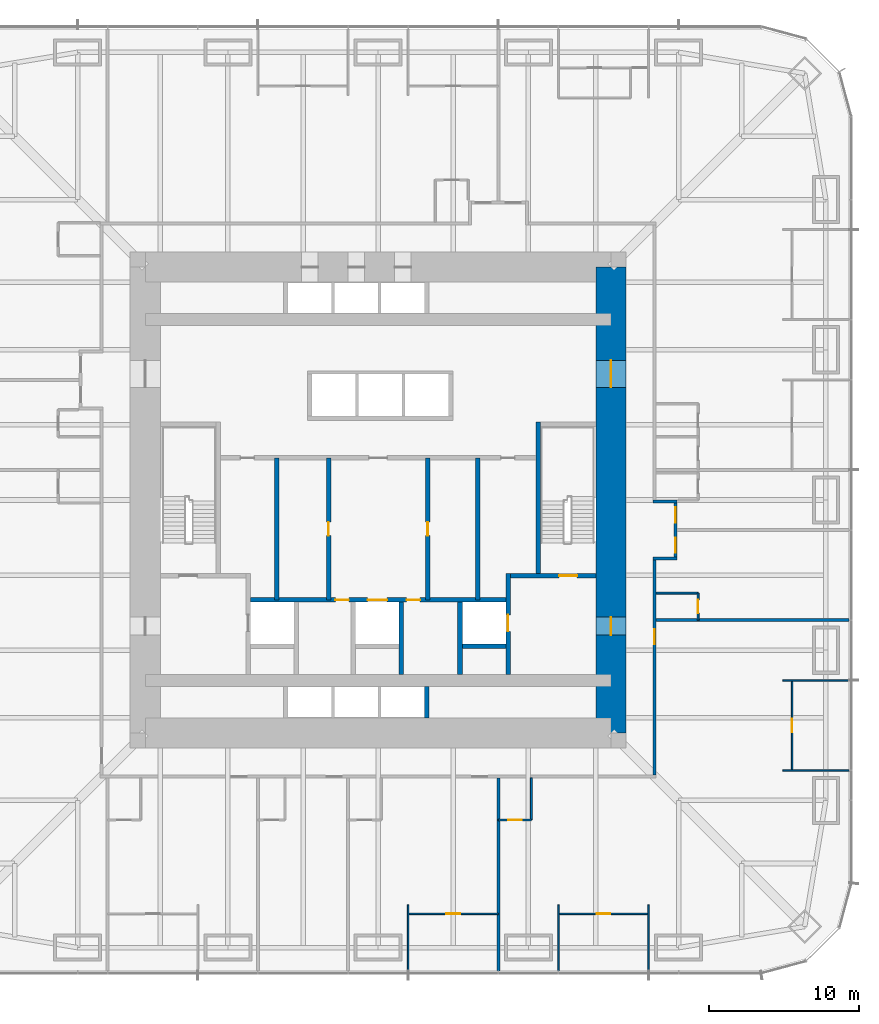
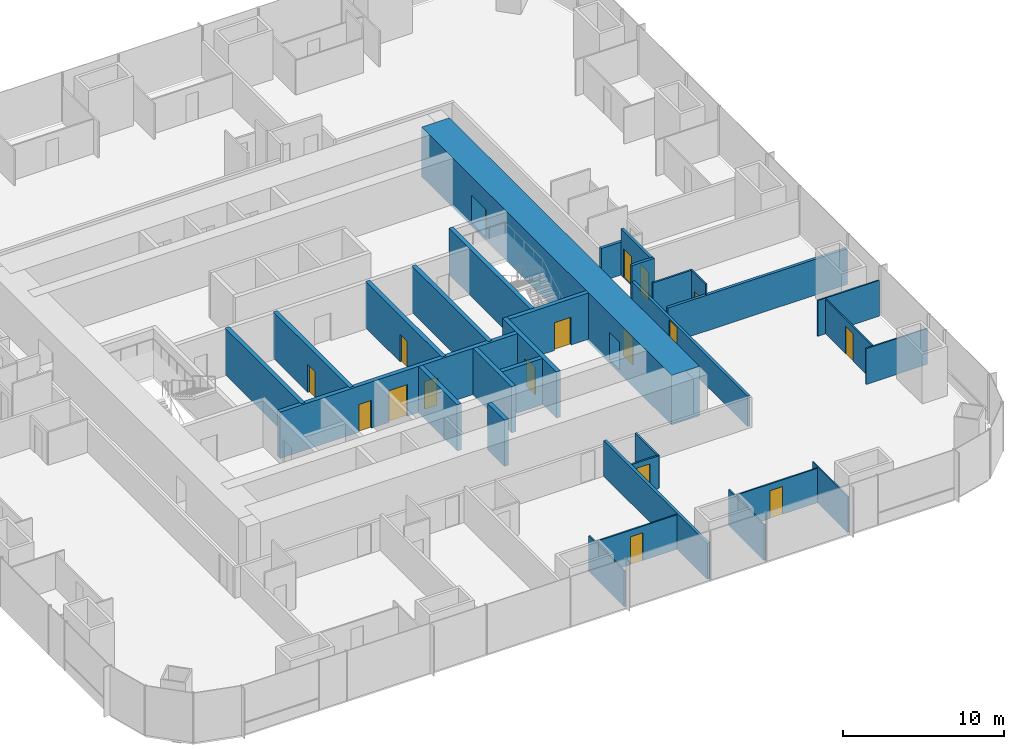
# One storey, part 13 of 16: 31 walls, 17 doors, 17 openings.
"""IFC4 building model written with IfcOpenShell, lengths in metres."""

from ifc_helpers import new_model, si_unit, direction, frame, frame_2d, origin, place, context, subcontext, project, spatial, rectangle, extrude, material, layer, layer_set, type_object, element, fill, save


model = new_model("IFC4")

# Units and contexts
model_context = context("Model", 3, precision=1e-05, world=origin(), true_north=direction((0.0, 1.0)))
body_context = subcontext(model_context, "Body", "Model", "MODEL_VIEW")
ifc_project = project(units=[si_unit("LENGTHUNIT", "METRE"), si_unit("AREAUNIT", "SQUARE_METRE"), si_unit("VOLUMEUNIT", "CUBIC_METRE"), si_unit("PLANEANGLEUNIT", "RADIAN"), si_unit("MASSUNIT", "GRAM", prefix="KILO")], contexts=[model_context])

# Site, building, storey
site_placement = place(None, origin())
site = spatial("IfcSite", under=ifc_project, at=site_placement, CompositionType="ELEMENT")
building_placement = place(site_placement, origin())
building = spatial("IfcBuilding", under=site, at=building_placement, Name="Khuree Lantern Residences", CompositionType="ELEMENT")
storey_placement = place(building_placement, frame((0.0, 0.0, 62.25)))
storey = spatial("IfcBuildingStorey", under=building, at=storey_placement, Name="L15", CompositionType="ELEMENT", Elevation=62.25)

# Wall, opening, door
ifc_material_1 = material(Name="Moisture-resistant gypsum board on steel studs", Category="steel")
ifc_layer_1 = layer(ifc_material_1, 0.125)
ifc_layer_set_1 = layer_set([ifc_layer_1], Name="BATHROOM WALL BTW125")
wall_type_1 = type_object("IfcWallType", Name="BATHROOM WALL BTW125", PredefinedType="PARTITIONING", material=ifc_layer_set_1)
wall_1_placement = place(storey_placement, frame((21.300048828125, -8.0, 0.0), z_axis=(0.0, 0.0, 1.0), x_axis=(0.0, 1.0, 0.0)))
wall_1 = element("IfcWall", 1, at=wall_1_placement, inside=storey, type_object=wall_type_1, Name="L15 BATHROOM WALL 01", PredefinedType="PARTITIONING", context=body_context, shape_type="SweptSolid", body=[
    extrude(rectangle(XDim=1.800048828125, YDim=0.125, at=frame_2d((0.89990234375, 0.0))), origin(), (0.0, 0.0, 1.0), 3.5),
])
opening_1_placement = place(wall_1_placement, frame((0.449951171875, 0.0, 0.0)))
opening_1 = element("IfcOpeningElement", 2, at=opening_1_placement, cuts=wall_1, Name="Opening 15-020", PredefinedType="OPENING", context=body_context, shape_type="SweptSolid", body=[
    extrude(rectangle(XDim=0.89990234375, YDim=2.10009765625, at=frame_2d((0.449951171875, 1.050048828125))), frame((0.0, 0.072509765625, 0.0), z_axis=(0.0, -1.0, 0.0), x_axis=(1.0, 0.0, 0.0)), (0.0, 0.0, 1.0), 0.14501953125),
])
ifc_material_2 = material(Name="Timber door leaf in hardwood frame", Category="wood")
door_type_1 = type_object("IfcDoorType", Name="BATHROOM DOOR 900X2100", OperationType="SINGLE_SWING_LEFT", PredefinedType="DOOR", material=ifc_material_2)
door_1_placement = place(opening_1_placement, origin())
door_1 = element("IfcDoor", 3, at=door_1_placement, inside=storey, type_object=door_type_1, Name="Bathroom door 15-020", OperationType="SINGLE_SWING_LEFT", OverallHeight=2.10009765625, OverallWidth=0.89990234375, PredefinedType="DOOR", context=body_context, shape_type="SweptSolid", body=[
    extrude(rectangle(XDim=0.89990234375, YDim=2.10009765625, at=frame_2d((0.449951171875, 1.050048828125))), frame((0.0, 0.02490234375, 0.0), z_axis=(0.0, -1.0, 0.0), x_axis=(1.0, 0.0, 0.0)), (0.0, 0.0, 1.0), 0.050048828125),
])
fill(opening_1, door_1)

# Wall
wall_2_placement = place(storey_placement, frame((18.5, -6.199951171875, 0.0), z_axis=(0.0, 0.0, 1.0), x_axis=(1.0, 0.0, 0.0)))
element("IfcWall", 4, at=wall_2_placement, inside=storey, type_object=wall_type_1, Name="L15 BATHROOM WALL 01", PredefinedType="PARTITIONING", context=body_context, shape_type="SweptSolid", body=[
    extrude(rectangle(XDim=2.800048828125, YDim=0.125, at=frame_2d((1.39990234375, 0.0))), origin(), (0.0, 0.0, 1.0), 3.5),
])

# Wall, opening, door
wall_3_placement = place(storey_placement, frame((8.0, -21.300048828125, 0.0), z_axis=(0.0, 0.0, 1.0), x_axis=(1.0, 0.0, 0.0)))
wall_3 = element("IfcWall", 5, at=wall_3_placement, inside=storey, type_object=wall_type_1, Name="L15 BATHROOM WALL 11", PredefinedType="PARTITIONING", context=body_context, shape_type="SweptSolid", body=[
    extrude(rectangle(XDim=2.199951171875, YDim=0.125, at=frame_2d((1.10009765625, 0.0))), origin(), (0.0, 0.0, 1.0), 2.491943359375),
])
opening_2_placement = place(wall_3_placement, frame((0.64990234375, 0.0, 0.0)))
opening_2 = element("IfcOpeningElement", 6, at=opening_2_placement, cuts=wall_3, Name="Opening 15-054", PredefinedType="OPENING", context=body_context, shape_type="SweptSolid", body=[
    extrude(rectangle(XDim=0.89990234375, YDim=2.10009765625, at=frame_2d((0.449951171875, 1.050048828125))), frame((0.0, 0.072509765625, 0.0), z_axis=(0.0, -1.0, 0.0), x_axis=(1.0, 0.0, 0.0)), (0.0, 0.0, 1.0), 0.14501953125),
])
door_2_placement = place(opening_2_placement, origin())
door_2 = element("IfcDoor", 7, at=door_2_placement, inside=storey, type_object=door_type_1, Name="Bathroom door 15-054", OperationType="SINGLE_SWING_LEFT", OverallHeight=2.10009765625, OverallWidth=0.89990234375, PredefinedType="DOOR", context=body_context, shape_type="SweptSolid", body=[
    extrude(rectangle(XDim=0.89990234375, YDim=2.10009765625, at=frame_2d((0.449951171875, 1.050048828125))), frame((0.0, 0.02490234375, 0.0), z_axis=(0.0, -1.0, 0.0), x_axis=(1.0, 0.0, 0.0)), (0.0, 0.0, 1.0), 0.050048828125),
])
fill(opening_2, door_2)

# Wall
wall_4_placement = place(storey_placement, frame((10.199951171875, -18.5, 0.0), z_axis=(0.0, 0.0, 1.0), x_axis=(0.0, -1.0, 0.0)))
element("IfcWall", 8, at=wall_4_placement, inside=storey, type_object=wall_type_1, Name="L15 BATHROOM WALL 11", PredefinedType="PARTITIONING", context=body_context, shape_type="SweptSolid", body=[
    extrude(rectangle(XDim=2.800048828125, YDim=0.125, at=frame_2d((1.39990234375, 0.0))), origin(), (0.0, 0.0, 1.0), 2.491943359375),
])

# Wall, opening, door
ifc_material_3 = material(Name="Dense concrete blockwork", Category="masonry")
ifc_layer_2 = layer(ifc_material_3, 0.300048828125)
ifc_layer_set_2 = layer_set([ifc_layer_2], Name="CORE PARTITION WALL CPW300 EI 120")
wall_type_2 = type_object("IfcWallType", Name="CORE PARTITION WALL CPW300 EI 120", PredefinedType="PARTITIONING", material=ifc_layer_set_2)
wall_5_placement = place(storey_placement, frame((8.64990234375, -11.60009765625, 0.0), z_axis=(0.0, 0.0, 1.0), x_axis=(0.0, 1.0, 0.0)))
wall_5 = element("IfcWall", 9, at=wall_5_placement, inside=storey, type_object=wall_type_2, Name="L15 CORE WALL FL2E", PredefinedType="PARTITIONING", context=body_context, shape_type="SweptSolid", body=[
    extrude(rectangle(XDim=6.7001953125, YDim=0.300048828125, at=frame_2d((3.35009765625, 0.0))), origin(), (0.0, 0.0, 1.0), 3.5),
])
opening_3_placement = place(wall_5_placement, frame((2.85009765625, 0.0, 0.0)))
opening_3 = element("IfcOpeningElement", 10, at=opening_3_placement, cuts=wall_5, Name="Opening 15-008", PredefinedType="OPENING", context=body_context, shape_type="SweptSolid", body=[
    extrude(rectangle(XDim=1.10009765625, YDim=2.10009765625, at=frame_2d((0.550048828125, 1.050048828125))), frame((0.0, 0.16015625, 0.0), z_axis=(0.0, -1.0, 0.0), x_axis=(1.0, 0.0, 0.0)), (0.0, 0.0, 1.0), 0.320068359375),
])
ifc_material_4 = material(Name="Stainless steel lift landing door", Category="steel")
door_type_2 = type_object("IfcDoorType", Name="LIFT LANDING DOOR 1100X2100 E 120", OperationType="DOUBLE_DOOR_SLIDING", PredefinedType="DOOR", material=ifc_material_4)
door_3_placement = place(opening_3_placement, origin())
door_3 = element("IfcDoor", 11, at=door_3_placement, inside=storey, type_object=door_type_2, Name="Landing door FL2 15-008", OperationType="DOUBLE_DOOR_SLIDING", OverallHeight=2.10009765625, OverallWidth=1.10009765625, PredefinedType="DOOR", context=body_context, shape_type="SweptSolid", body=[
    extrude(rectangle(XDim=1.10009765625, YDim=2.10009765625, at=frame_2d((0.550048828125, 1.050048828125))), frame((0.0, 0.02490234375, 0.0), z_axis=(0.0, -1.0, 0.0), x_axis=(1.0, 0.0, 0.0)), (0.0, 0.0, 1.0), 0.050048828125),
])
fill(opening_3, door_3)

# Wall, openings, doors
wall_6_placement = place(storey_placement, frame((-8.5, -6.64990234375, 0.0), z_axis=(0.0, 0.0, 1.0), x_axis=(1.0, 0.0, 0.0)))
wall_6 = element("IfcWall", 12, at=wall_6_placement, inside=storey, type_object=wall_type_2, Name="L15 CORE WALL FLROW", PredefinedType="PARTITIONING", context=body_context, shape_type="SweptSolid", body=[
    extrude(rectangle(XDim=17.0, YDim=0.300048828125, at=frame_2d((8.5, 0.0))), origin(), (0.0, 0.0, 1.0), 3.5),
])
opening_4_placement = place(wall_6_placement, frame((7.800048828125, 0.0, 0.0)))
opening_4 = element("IfcOpeningElement", 13, at=opening_4_placement, cuts=wall_6, Name="Opening 15-012", PredefinedType="OPENING", context=body_context, shape_type="SweptSolid", body=[
    extrude(rectangle(XDim=1.300048828125, YDim=2.39990234375, at=frame_2d((0.64990234375, 1.199951171875))), frame((0.0, 0.16015625, 0.0), z_axis=(0.0, -1.0, 0.0), x_axis=(1.0, 0.0, 0.0)), (0.0, 0.0, 1.0), 0.320068359375),
])
opening_5_placement = place(wall_6_placement, frame((5.64990234375, 0.0, 0.0)))
opening_5 = element("IfcOpeningElement", 14, at=opening_5_placement, cuts=wall_6, Name="Opening 15-014", PredefinedType="OPENING", context=body_context, shape_type="SweptSolid", body=[
    extrude(rectangle(XDim=0.89990234375, YDim=2.10009765625, at=frame_2d((0.449951171875, 1.050048828125))), frame((0.0, 0.16015625, 0.0), z_axis=(0.0, -1.0, 0.0), x_axis=(1.0, 0.0, 0.0)), (0.0, 0.0, 1.0), 0.320068359375),
])
opening_6_placement = place(wall_6_placement, frame((10.39990234375, 0.0, 0.0)))
opening_6 = element("IfcOpeningElement", 15, at=opening_6_placement, cuts=wall_6, Name="Opening 15-015", PredefinedType="OPENING", context=body_context, shape_type="SweptSolid", body=[
    extrude(rectangle(XDim=0.89990234375, YDim=2.10009765625, at=frame_2d((0.449951171875, 1.050048828125))), frame((0.0, 0.16015625, 0.0), z_axis=(0.0, -1.0, 0.0), x_axis=(1.0, 0.0, 0.0)), (0.0, 0.0, 1.0), 0.320068359375),
])
ifc_material_5 = material(Name="Steel door leaf in steel frame", Category="steel")
door_type_3 = type_object("IfcDoorType", Name="DOOR 900X2100 EI 60", OperationType="SINGLE_SWING_LEFT", PredefinedType="DOOR", material=ifc_material_5)
door_4_placement = place(opening_5_placement, origin())
door_4 = element("IfcDoor", 16, at=door_4_placement, inside=storey, type_object=door_type_3, Name="Refuse chute room door 15-014", OperationType="SINGLE_SWING_LEFT", OverallHeight=2.10009765625, OverallWidth=0.89990234375, PredefinedType="DOOR", context=body_context, shape_type="SweptSolid", body=[
    extrude(rectangle(XDim=0.89990234375, YDim=2.10009765625, at=frame_2d((0.449951171875, 1.050048828125))), frame((0.0, 0.02490234375, 0.0), z_axis=(0.0, -1.0, 0.0), x_axis=(1.0, 0.0, 0.0)), (0.0, 0.0, 1.0), 0.050048828125),
])
fill(opening_5, door_4)
door_type_4 = type_object("IfcDoorType", Name="DOOR 900X2100 EI 60 RIGHT HAND", OperationType="SINGLE_SWING_RIGHT", PredefinedType="DOOR", material=ifc_material_5)
door_5_placement = place(opening_6_placement, origin())
door_5 = element("IfcDoor", 17, at=door_5_placement, inside=storey, type_object=door_type_4, Name="Electrical and plumbing riser door 15-015", OperationType="SINGLE_SWING_RIGHT", OverallHeight=2.10009765625, OverallWidth=0.89990234375, PredefinedType="DOOR", context=body_context, shape_type="SweptSolid", body=[
    extrude(rectangle(XDim=0.89990234375, YDim=2.10009765625, at=frame_2d((0.449951171875, 1.050048828125))), frame((0.0, 0.02490234375, 0.0), z_axis=(0.0, -1.0, 0.0), x_axis=(1.0, 0.0, 0.0)), (0.0, 0.0, 1.0), 0.050048828125),
])
fill(opening_6, door_5)
door_type_5 = type_object("IfcDoorType", Name="LIFT LANDING DOOR 1300X2400 E 60", OperationType="DOUBLE_DOOR_SLIDING", PredefinedType="DOOR", material=ifc_material_4)
door_6_placement = place(opening_4_placement, origin())
door_6 = element("IfcDoor", 18, at=door_6_placement, inside=storey, type_object=door_type_5, Name="Landing door SL1 15-012", OperationType="DOUBLE_DOOR_SLIDING", OverallHeight=2.39990234375, OverallWidth=1.300048828125, PredefinedType="DOOR", context=body_context, shape_type="SweptSolid", body=[
    extrude(rectangle(XDim=1.300048828125, YDim=2.39990234375, at=frame_2d((0.64990234375, 1.199951171875))), frame((0.0, 0.02490234375, 0.0), z_axis=(0.0, -1.0, 0.0), x_axis=(1.0, 0.0, 0.0)), (0.0, 0.0, 1.0), 0.050048828125),
])
fill(opening_4, door_6)

# Walls
for number, where, z_axis, x_axis, name in (
    (19, (1.550048828125, -11.60009765625, 0.0), (0.0, 0.0, 1.0), (0.0, 1.0, 0.0), "L15 CORE WALL SL1E"),
    (20, (5.449951171875, -11.60009765625, 0.0), (0.0, 0.0, 1.0), (0.0, 1.0, 0.0), "L15 CORE WALL FL2W"),
):
    element("IfcWall", number, at=place(storey_placement, frame(where, z_axis=z_axis, x_axis=x_axis)), inside=storey, type_object=wall_type_2, Name=name, PredefinedType="PARTITIONING", context=body_context, shape_type="SweptSolid", body=[
        extrude(rectangle(XDim=4.800048828125, YDim=0.300048828125, at=frame_2d((2.39990234375, 0.0))), origin(), (0.0, 0.0, 1.0), 3.5),
    ])
wall_7_placement = place(storey_placement, frame((5.60009765625, -9.75, 0.0), z_axis=(0.0, 0.0, 1.0), x_axis=(1.0, 0.0, 0.0)))
element("IfcWall", 21, at=wall_7_placement, inside=storey, type_object=wall_type_2, Name="L15 CORE WALL FL2S", PredefinedType="PARTITIONING", context=body_context, shape_type="SweptSolid", body=[
    extrude(rectangle(XDim=2.89990234375, YDim=0.300048828125, at=frame_2d((1.449951171875, 0.0))), origin(), (0.0, 0.0, 1.0), 3.5),
])
wall_8_placement = place(storey_placement, frame((3.25, -14.5, 0.0), z_axis=(0.0, 0.0, 1.0), x_axis=(0.0, 1.0, 0.0)))
element("IfcWall", 22, at=wall_8_placement, inside=storey, type_object=wall_type_2, Name="L15 CORE WALL PME", PredefinedType="PARTITIONING", context=body_context, shape_type="SweptSolid", body=[
    extrude(rectangle(XDim=2.10009765625, YDim=0.300048828125, at=frame_2d((1.050048828125, 0.0))), origin(), (0.0, 0.0, 1.0), 3.5),
])

# Wall, opening, door
wall_9_placement = place(storey_placement, frame((-3.300048828125, -6.64990234375, 0.0), z_axis=(0.0, 0.0, 1.0), x_axis=(0.0, 1.0, 0.0)))
wall_9 = element("IfcWall", 23, at=wall_9_placement, inside=storey, type_object=wall_type_2, Name="L15 CORE WALL SVW", PredefinedType="PARTITIONING", context=body_context, shape_type="SweptSolid", body=[
    extrude(rectangle(XDim=9.449951171875, YDim=0.300048828125, at=frame_2d((4.72509765625, 0.0))), origin(), (0.0, 0.0, 1.0), 3.5),
])
opening_7_placement = place(wall_9_placement, frame((4.27490234375, 0.0, 0.0)))
opening_7 = element("IfcOpeningElement", 24, at=opening_7_placement, cuts=wall_9, Name="Opening 15-016", PredefinedType="OPENING", context=body_context, shape_type="SweptSolid", body=[
    extrude(rectangle(XDim=0.89990234375, YDim=2.10009765625, at=frame_2d((0.449951171875, 1.050048828125))), frame((0.0, 0.16015625, 0.0), z_axis=(0.0, -1.0, 0.0), x_axis=(1.0, 0.0, 0.0)), (0.0, 0.0, 1.0), 0.320068359375),
])
door_type_6 = type_object("IfcDoorType", Name="DOOR 900X2100", OperationType="SINGLE_SWING_LEFT", PredefinedType="DOOR", material=ifc_material_2)
door_7_placement = place(opening_7_placement, origin())
door_7 = element("IfcDoor", 25, at=door_7_placement, inside=storey, type_object=door_type_6, Name="Residents' store door 15-016", OperationType="SINGLE_SWING_LEFT", OverallHeight=2.10009765625, OverallWidth=0.89990234375, PredefinedType="DOOR", context=body_context, shape_type="SweptSolid", body=[
    extrude(rectangle(XDim=0.89990234375, YDim=2.10009765625, at=frame_2d((0.449951171875, 1.050048828125))), frame((0.0, 0.02490234375, 0.0), z_axis=(0.0, -1.0, 0.0), x_axis=(1.0, 0.0, 0.0)), (0.0, 0.0, 1.0), 0.050048828125),
])
fill(opening_7, door_7)

wall_10_placement = place(storey_placement, frame((3.300048828125, -6.64990234375, 0.0), z_axis=(0.0, 0.0, 1.0), x_axis=(0.0, 1.0, 0.0)))
wall_10 = element("IfcWall", 26, at=wall_10_placement, inside=storey, type_object=wall_type_2, Name="L15 CORE WALL SVE", PredefinedType="PARTITIONING", context=body_context, shape_type="SweptSolid", body=[
    extrude(rectangle(XDim=9.449951171875, YDim=0.300048828125, at=frame_2d((4.72509765625, 0.0))), origin(), (0.0, 0.0, 1.0), 3.5),
])
opening_8_placement = place(wall_10_placement, frame((4.27490234375, 0.0, 0.0)))
opening_8 = element("IfcOpeningElement", 27, at=opening_8_placement, cuts=wall_10, Name="Opening 15-018", PredefinedType="OPENING", context=body_context, shape_type="SweptSolid", body=[
    extrude(rectangle(XDim=0.89990234375, YDim=2.10009765625, at=frame_2d((0.449951171875, 1.050048828125))), frame((0.0, 0.16015625, 0.0), z_axis=(0.0, -1.0, 0.0), x_axis=(1.0, 0.0, 0.0)), (0.0, 0.0, 1.0), 0.320068359375),
])
door_8_placement = place(opening_8_placement, origin())
door_8 = element("IfcDoor", 28, at=door_8_placement, inside=storey, type_object=door_type_6, Name="Residents' store door 15-018", OperationType="SINGLE_SWING_LEFT", OverallHeight=2.10009765625, OverallWidth=0.89990234375, PredefinedType="DOOR", context=body_context, shape_type="SweptSolid", body=[
    extrude(rectangle(XDim=0.89990234375, YDim=2.10009765625, at=frame_2d((0.449951171875, 1.050048828125))), frame((0.0, 0.02490234375, 0.0), z_axis=(0.0, -1.0, 0.0), x_axis=(1.0, 0.0, 0.0)), (0.0, 0.0, 1.0), 0.050048828125),
])
fill(opening_8, door_8)

# Walls
for number, where, z_axis, x_axis, name in (
    (29, (-6.763916015625, -6.64990234375, 0.0), (0.0, 0.0, 1.0), (0.0, 1.0, 0.0), "L15 CORE WALL WV"),
    (30, (6.6220703125, -6.64990234375, 0.0), (0.0, 0.0, 1.0), (0.0, 1.0, 0.0), "L15 CORE WALL EV"),
):
    element("IfcWall", number, at=place(storey_placement, frame(where, z_axis=z_axis, x_axis=x_axis)), inside=storey, type_object=wall_type_2, Name=name, PredefinedType="PARTITIONING", context=body_context, shape_type="SweptSolid", body=[
        extrude(rectangle(XDim=9.449951171875, YDim=0.300048828125, at=frame_2d((4.72509765625, 0.0))), origin(), (0.0, 0.0, 1.0), 3.5),
    ])

# Wall, opening, door
ifc_material_6 = material(Name="Gypsum board on steel studs", Category="steel")
ifc_layer_3 = layer(ifc_material_6, 0.199951171875)
ifc_layer_set_3 = layer_set([ifc_layer_3], Name="CORRIDOR WALL CRW200 EI 60")
wall_type_3 = type_object("IfcWallType", Name="CORRIDOR WALL CRW200 EI 60", PredefinedType="PARTITIONING", material=ifc_layer_set_3)
wall_11_placement = place(storey_placement, frame((18.39990234375, -18.300048828125, 0.0), z_axis=(0.0, 0.0, 1.0), x_axis=(0.0, 1.0, 0.0)))
wall_11 = element("IfcWall", 31, at=wall_11_placement, inside=storey, type_object=wall_type_3, Name="L15 CORRIDOR WALL EAST 1", PredefinedType="PARTITIONING", context=body_context, shape_type="SweptSolid", body=[
    extrude(rectangle(XDim=14.300048828125, YDim=0.199951171875, at=frame_2d((7.14990234375, 0.0))), origin(), (0.0, 0.0, 1.0), 2.300048828125),
])
opening_9_placement = place(wall_11_placement, frame((8.699951171875, 0.0, 0.0)))
opening_9 = element("IfcOpeningElement", 32, at=opening_9_placement, cuts=wall_11, Name="Opening 15-055", PredefinedType="OPENING", context=body_context, shape_type="SweptSolid", body=[
    extrude(rectangle(XDim=1.0, YDim=2.199951171875, at=frame_2d((0.5, 1.10009765625))), frame((0.0, 0.10986328125, 0.0), z_axis=(0.0, -1.0, 0.0), x_axis=(1.0, 0.0, 0.0)), (0.0, 0.0, 1.0), 0.219970703125),
])
door_type_7 = type_object("IfcDoorType", Name="APARTMENT ENTRANCE DOOR 1000X2200 EI 30S", OperationType="SINGLE_SWING_LEFT", PredefinedType="DOOR", material=ifc_material_2)
door_9_placement = place(opening_9_placement, origin())
door_9 = element("IfcDoor", 33, at=door_9_placement, inside=storey, type_object=door_type_7, Name="Apartment 11 entrance door 15-055", OperationType="SINGLE_SWING_LEFT", OverallHeight=2.199951171875, OverallWidth=1.0, PredefinedType="DOOR", context=body_context, shape_type="SweptSolid", body=[
    extrude(rectangle(XDim=1.0, YDim=2.199951171875, at=frame_2d((0.5, 1.10009765625))), frame((0.0, 0.02490234375, 0.0), z_axis=(0.0, -1.0, 0.0), x_axis=(1.0, 0.0, 0.0)), (0.0, 0.0, 1.0), 0.050048828125),
])
fill(opening_9, door_9)

# Walls
wall_12_placement = place(storey_placement, frame((18.300048828125, -3.89990234375, 0.0), z_axis=(0.0, 0.0, 1.0), x_axis=(1.0, 0.0, 0.0)))
element("IfcWall", 34, at=wall_12_placement, inside=storey, type_object=wall_type_3, Name="L15 CORRIDOR ALCOVE WALL EAST", PredefinedType="PARTITIONING", context=body_context, shape_type="SweptSolid", body=[
    extrude(rectangle(XDim=1.599853515625, YDim=0.199951171875, at=frame_2d((0.7998046875, 0.0))), origin(), (0.0, 0.0, 1.0), 3.5),
])
wall_13_placement = place(storey_placement, frame((18.300048828125, -0.10009765625, 0.0), z_axis=(0.0, 0.0, 1.0), x_axis=(1.0, 0.0, 0.0)))
element("IfcWall", 35, at=wall_13_placement, inside=storey, type_object=wall_type_3, Name="L15 CORRIDOR ALCOVE WALL EAST", PredefinedType="PARTITIONING", context=body_context, shape_type="SweptSolid", body=[
    extrude(rectangle(XDim=1.599853515625, YDim=0.199951171875, at=frame_2d((0.7998046875, 0.0))), origin(), (0.0, 0.0, 1.0), 2.491943359375),
])

# Wall, openings, doors
wall_14_placement = place(storey_placement, frame((19.800048828125, -3.800048828125, 0.0), z_axis=(0.0, 0.0, 1.0), x_axis=(0.0, 1.0, 0.0)))
wall_14 = element("IfcWall", 36, at=wall_14_placement, inside=storey, type_object=wall_type_3, Name="L15 CORRIDOR ALCOVE WALL EAST", PredefinedType="PARTITIONING", context=body_context, shape_type="SweptSolid", body=[
    extrude(rectangle(XDim=3.60009765625, YDim=0.199951171875, at=frame_2d((1.800048828125, 0.0))), origin(), (0.0, 0.0, 1.0), 3.5),
])
opening_10_placement = place(wall_14_placement, frame((0.300048828125, 0.0, 0.0)))
opening_10 = element("IfcOpeningElement", 37, at=opening_10_placement, cuts=wall_14, Name="Opening 15-021", PredefinedType="OPENING", context=body_context, shape_type="SweptSolid", body=[
    extrude(rectangle(XDim=1.0, YDim=2.199951171875, at=frame_2d((0.5, 1.10009765625))), frame((0.0, 0.10986328125, 0.0), z_axis=(0.0, -1.0, 0.0), x_axis=(1.0, 0.0, 0.0)), (0.0, 0.0, 1.0), 0.219970703125),
])
opening_11_placement = place(wall_14_placement, frame((2.300048828125, 0.0, 0.0)))
opening_11 = element("IfcOpeningElement", 38, at=opening_11_placement, cuts=wall_14, Name="Opening 15-023", PredefinedType="OPENING", context=body_context, shape_type="SweptSolid", body=[
    extrude(rectangle(XDim=1.0, YDim=2.199951171875, at=frame_2d((0.5, 1.10009765625))), frame((0.0, 0.10986328125, 0.0), z_axis=(0.0, -1.0, 0.0), x_axis=(1.0, 0.0, 0.0)), (0.0, 0.0, 1.0), 0.219970703125),
])
door_10_placement = place(opening_10_placement, origin())
door_10 = element("IfcDoor", 39, at=door_10_placement, inside=storey, type_object=door_type_7, Name="Apartment 01 entrance door 15-021", OperationType="SINGLE_SWING_LEFT", OverallHeight=2.199951171875, OverallWidth=1.0, PredefinedType="DOOR", context=body_context, shape_type="SweptSolid", body=[
    extrude(rectangle(XDim=1.0, YDim=2.199951171875, at=frame_2d((0.5, 1.10009765625))), frame((0.0, 0.02490234375, 0.0), z_axis=(0.0, -1.0, 0.0), x_axis=(1.0, 0.0, 0.0)), (0.0, 0.0, 1.0), 0.050048828125),
])
fill(opening_10, door_10)
door_type_8 = type_object("IfcDoorType", Name="APARTMENT ENTRANCE DOOR 1000X2200 EI 30S RIGHT HAND", OperationType="SINGLE_SWING_RIGHT", PredefinedType="DOOR", material=ifc_material_2)
door_11_placement = place(opening_11_placement, origin())
door_11 = element("IfcDoor", 40, at=door_11_placement, inside=storey, type_object=door_type_8, Name="Apartment 02 entrance door 15-023", OperationType="SINGLE_SWING_RIGHT", OverallHeight=2.199951171875, OverallWidth=1.0, PredefinedType="DOOR", context=body_context, shape_type="SweptSolid", body=[
    extrude(rectangle(XDim=1.0, YDim=2.199951171875, at=frame_2d((0.5, 1.10009765625))), frame((0.0, 0.02490234375, 0.0), z_axis=(0.0, -1.0, 0.0), x_axis=(1.0, 0.0, 0.0)), (0.0, 0.0, 1.0), 0.050048828125),
])
fill(opening_11, door_11)

ifc_material_7 = material(Name="Concrete C70/85", Category="concrete")
ifc_layer_4 = layer(ifc_material_7, 2.0)
ifc_layer_set_4 = layer_set([ifc_layer_4], Name="CW2000-C70 CORE WALL C70 2000")
wall_type_4 = type_object("IfcWallType", Name="CW2000-C70 CORE WALL C70 2000", PredefinedType="SHEAR", material=ifc_layer_set_4)
wall_15_placement = place(storey_placement, frame((15.5, -15.5, -0.25), z_axis=(0.0, 0.0, 1.0), x_axis=(0.0, 1.0, 0.0)))
wall_15 = element("IfcWall", 41, at=wall_15_placement, inside=storey, type_object=wall_type_4, Name="Core wall E", PredefinedType="SHEAR", context=body_context, shape_type="SweptSolid", body=[
    extrude(rectangle(XDim=31.0, YDim=2.0, at=frame_2d((15.5, 0.0))), origin(), (0.0, 0.0, 1.0), 3.75),
])
opening_12_placement = place(wall_15_placement, frame((6.5, 0.0, 0.25)))
opening_12 = element("IfcOpeningElement", 42, at=opening_12_placement, cuts=wall_15, Name="Opening 15-005", PredefinedType="OPENING", context=body_context, shape_type="SweptSolid", body=[
    extrude(rectangle(XDim=1.199951171875, YDim=2.10009765625, at=frame_2d((0.60009765625, 1.050048828125))), frame((0.0, 1.010009765625, 0.0), z_axis=(0.0, -1.0, 0.0), x_axis=(1.0, 0.0, 0.0)), (0.0, 0.0, 1.0), 2.02001953125),
])
opening_13_placement = place(wall_15_placement, frame((23.0, 0.0, 0.25)))
opening_13 = element("IfcOpeningElement", 43, at=opening_13_placement, cuts=wall_15, Name="Opening 15-006", PredefinedType="OPENING", context=body_context, shape_type="SweptSolid", body=[
    extrude(rectangle(XDim=1.800048828125, YDim=2.10009765625, at=frame_2d((0.89990234375, 1.050048828125))), frame((0.0, 1.010009765625, 0.0), z_axis=(0.0, -1.0, 0.0), x_axis=(1.0, 0.0, 0.0)), (0.0, 0.0, 1.0), 2.02001953125),
])
door_type_9 = type_object("IfcDoorType", Name="LOBBY DOOR 1200X2100 EI 120", OperationType="SINGLE_SWING_LEFT", PredefinedType="DOOR", material=ifc_material_5)
door_12_placement = place(opening_12_placement, origin())
door_12 = element("IfcDoor", 44, at=door_12_placement, inside=storey, type_object=door_type_9, Name="Firefighting lobby door 15-005", OperationType="SINGLE_SWING_LEFT", OverallHeight=2.10009765625, OverallWidth=1.199951171875, PredefinedType="DOOR", context=body_context, shape_type="SweptSolid", body=[
    extrude(rectangle(XDim=1.199951171875, YDim=2.10009765625, at=frame_2d((0.60009765625, 1.050048828125))), frame((0.0, 0.02490234375, 0.0), z_axis=(0.0, -1.0, 0.0), x_axis=(1.0, 0.0, 0.0)), (0.0, 0.0, 1.0), 0.050048828125),
])
fill(opening_12, door_12)
door_type_10 = type_object("IfcDoorType", Name="LOBBY DOUBLE DOOR 1800X2100 EI 60", OperationType="DOUBLE_DOOR_SINGLE_SWING", PredefinedType="DOOR", material=ifc_material_5)
door_13_placement = place(opening_13_placement, origin())
door_13 = element("IfcDoor", 45, at=door_13_placement, inside=storey, type_object=door_type_10, Name="Lift lobby door 15-006", OperationType="DOUBLE_DOOR_SINGLE_SWING", OverallHeight=2.10009765625, OverallWidth=1.800048828125, PredefinedType="DOOR", context=body_context, shape_type="SweptSolid", body=[
    extrude(rectangle(XDim=1.800048828125, YDim=2.10009765625, at=frame_2d((0.89990234375, 1.050048828125))), frame((0.0, 0.02490234375, 0.0), z_axis=(0.0, -1.0, 0.0), x_axis=(1.0, 0.0, 0.0)), (0.0, 0.0, 1.0), 0.050048828125),
])
fill(opening_13, door_13)

# Walls
ifc_layer_5 = layer(ifc_material_6, 0.199951171875)
ifc_layer_set_5 = layer_set([ifc_layer_5], Name="DEMISING WALL DMW200 EI 90")
wall_type_5 = type_object("IfcWallType", Name="DEMISING WALL DMW200 EI 90", PredefinedType="PARTITIONING", material=ifc_layer_set_5)
for number, where, z_axis, x_axis, name in (
    (46, (18.5, -8.0, 0.0), (0.0, 0.0, 1.0), (1.0, 0.0, 0.0), "L15 DEMISING WALL 01"),
    (47, (8.0, -18.5, 0.0), (0.0, 0.0, 1.0), (0.0, -1.0, 0.0), "L15 DEMISING WALL 11"),
):
    element("IfcWall", number, at=place(storey_placement, frame(where, z_axis=z_axis, x_axis=x_axis)), inside=storey, type_object=wall_type_5, Name=name, PredefinedType="PARTITIONING", context=body_context, shape_type="SweptSolid", body=[
        extrude(rectangle(XDim=12.85009765625, YDim=0.199951171875, at=frame_2d((6.425048828125, 0.0))), origin(), (0.0, 0.0, 1.0), 2.7099609375),
    ])
ifc_layer_6 = layer(ifc_material_6, 0.10009765625)
ifc_layer_set_6 = layer_set([ifc_layer_6], Name="PARTITION PT100")
wall_type_6 = type_object("IfcWallType", Name="PARTITION PT100", PredefinedType="PARTITIONING", material=ifc_layer_set_6)
for number, where, z_axis, x_axis, name in (
    (48, (2.0, -26.949951171875, 0.0), (0.0, 0.0, 1.0), (0.0, -1.0, 0.0), "L15 PARTITION 10"),
    (49, (12.0, -26.949951171875, 0.0), (0.0, 0.0, 1.0), (0.0, -1.0, 0.0), "L15 PARTITION 11"),
    (50, (18.0, -26.949951171875, 0.0), (0.0, 0.0, 1.0), (0.0, -1.0, 0.0), "L15 PARTITION 11"),
    (51, (26.949951171875, -18.0, 0.0), (0.0, 0.0, 1.0), (1.0, 0.0, 0.0), "L15 PARTITION 11"),
    (52, (26.949951171875, -12.0, 0.0), (0.0, 0.0, 1.0), (1.0, 0.0, 0.0), "L15 PARTITION 11"),
):
    element("IfcWall", number, at=place(storey_placement, frame(where, z_axis=z_axis, x_axis=x_axis)), inside=storey, type_object=wall_type_6, Name=name, PredefinedType="PARTITIONING", context=body_context, shape_type="SweptSolid", body=[
        extrude(rectangle(XDim=4.400146484375, YDim=0.10009765625, at=frame_2d((2.2001953125, 0.0))), origin(), (0.0, 0.0, 1.0), 2.7099609375),
    ])

# Wall, opening, door
wall_16_placement = place(storey_placement, frame((2.0, -27.550048828125, 0.0), z_axis=(0.0, 0.0, 1.0), x_axis=(1.0, 0.0, 0.0)))
wall_16 = element("IfcWall", 53, at=wall_16_placement, inside=storey, type_object=wall_type_6, Name="L15 PARTITION 10", PredefinedType="PARTITIONING", context=body_context, shape_type="SweptSolid", body=[
    extrude(rectangle(XDim=6.0, YDim=0.10009765625, at=frame_2d((3.0, 0.0))), origin(), (0.0, 0.0, 1.0), 2.610107421875),
])
opening_14_placement = place(wall_16_placement, frame((2.550048828125, 0.0, 0.0)))
opening_14 = element("IfcOpeningElement", 54, at=opening_14_placement, cuts=wall_16, Name="Opening 15-049", PredefinedType="OPENING", context=body_context, shape_type="SweptSolid", body=[
    extrude(rectangle(XDim=0.89990234375, YDim=2.10009765625, at=frame_2d((0.449951171875, 1.050048828125))), frame((0.0, 0.06005859375, 0.0), z_axis=(0.0, -1.0, 0.0), x_axis=(1.0, 0.0, 0.0)), (0.0, 0.0, 1.0), 0.1201171875),
])
door_type_11 = type_object("IfcDoorType", Name="BEDROOM DOOR 900X2100", OperationType="SINGLE_SWING_LEFT", PredefinedType="DOOR", material=ifc_material_2)
door_14_placement = place(opening_14_placement, origin())
door_14 = element("IfcDoor", 55, at=door_14_placement, inside=storey, type_object=door_type_11, Name="Bedroom door 15-049", OperationType="SINGLE_SWING_LEFT", OverallHeight=2.10009765625, OverallWidth=0.89990234375, PredefinedType="DOOR", context=body_context, shape_type="SweptSolid", body=[
    extrude(rectangle(XDim=0.89990234375, YDim=2.10009765625, at=frame_2d((0.449951171875, 1.050048828125))), frame((0.0, 0.02490234375, 0.0), z_axis=(0.0, -1.0, 0.0), x_axis=(1.0, 0.0, 0.0)), (0.0, 0.0, 1.0), 0.050048828125),
])
fill(opening_14, door_14)

wall_17_placement = place(storey_placement, frame((12.0, -27.550048828125, 0.0), z_axis=(0.0, 0.0, 1.0), x_axis=(1.0, 0.0, 0.0)))
wall_17 = element("IfcWall", 56, at=wall_17_placement, inside=storey, type_object=wall_type_6, Name="L15 PARTITION 11", PredefinedType="PARTITIONING", context=body_context, shape_type="SweptSolid", body=[
    extrude(rectangle(XDim=6.0, YDim=0.10009765625, at=frame_2d((3.0, 0.0))), origin(), (0.0, 0.0, 1.0), 2.610107421875),
])
opening_15_placement = place(wall_17_placement, frame((2.550048828125, 0.0, 0.0)))
opening_15 = element("IfcOpeningElement", 57, at=opening_15_placement, cuts=wall_17, Name="Opening 15-052", PredefinedType="OPENING", context=body_context, shape_type="SweptSolid", body=[
    extrude(rectangle(XDim=0.89990234375, YDim=2.10009765625, at=frame_2d((0.449951171875, 1.050048828125))), frame((0.0, 0.06005859375, 0.0), z_axis=(0.0, -1.0, 0.0), x_axis=(1.0, 0.0, 0.0)), (0.0, 0.0, 1.0), 0.1201171875),
])
door_15_placement = place(opening_15_placement, origin())
door_15 = element("IfcDoor", 58, at=door_15_placement, inside=storey, type_object=door_type_11, Name="Bedroom door 15-052", OperationType="SINGLE_SWING_LEFT", OverallHeight=2.10009765625, OverallWidth=0.89990234375, PredefinedType="DOOR", context=body_context, shape_type="SweptSolid", body=[
    extrude(rectangle(XDim=0.89990234375, YDim=2.10009765625, at=frame_2d((0.449951171875, 1.050048828125))), frame((0.0, 0.02490234375, 0.0), z_axis=(0.0, -1.0, 0.0), x_axis=(1.0, 0.0, 0.0)), (0.0, 0.0, 1.0), 0.050048828125),
])
fill(opening_15, door_15)

wall_18_placement = place(storey_placement, frame((27.550048828125, -18.0, 0.0), z_axis=(0.0, 0.0, 1.0), x_axis=(0.0, 1.0, 0.0)))
wall_18 = element("IfcWall", 59, at=wall_18_placement, inside=storey, type_object=wall_type_6, Name="L15 PARTITION 11", PredefinedType="PARTITIONING", context=body_context, shape_type="SweptSolid", body=[
    extrude(rectangle(XDim=6.0, YDim=0.10009765625, at=frame_2d((3.0, 0.0))), origin(), (0.0, 0.0, 1.0), 2.610107421875),
])
opening_16_placement = place(wall_18_placement, frame((2.550048828125, 0.0, 0.0)))
opening_16 = element("IfcOpeningElement", 60, at=opening_16_placement, cuts=wall_18, Name="Opening 15-053", PredefinedType="OPENING", context=body_context, shape_type="SweptSolid", body=[
    extrude(rectangle(XDim=0.89990234375, YDim=2.10009765625, at=frame_2d((0.449951171875, 1.050048828125))), frame((0.0, 0.06005859375, 0.0), z_axis=(0.0, -1.0, 0.0), x_axis=(1.0, 0.0, 0.0)), (0.0, 0.0, 1.0), 0.1201171875),
])
door_16_placement = place(opening_16_placement, origin())
door_16 = element("IfcDoor", 61, at=door_16_placement, inside=storey, type_object=door_type_11, Name="Bedroom door 15-053", OperationType="SINGLE_SWING_LEFT", OverallHeight=2.10009765625, OverallWidth=0.89990234375, PredefinedType="DOOR", context=body_context, shape_type="SweptSolid", body=[
    extrude(rectangle(XDim=0.89990234375, YDim=2.10009765625, at=frame_2d((0.449951171875, 1.050048828125))), frame((0.0, 0.02490234375, 0.0), z_axis=(0.0, -1.0, 0.0), x_axis=(1.0, 0.0, 0.0)), (0.0, 0.0, 1.0), 0.050048828125),
])
fill(opening_16, door_16)

# Wall
ifc_material_8 = material(Name="Concrete C50/60", Category="concrete")
ifc_layer_7 = layer(ifc_material_8, 0.300048828125)
ifc_layer_set_7 = layer_set([ifc_layer_7], Name="STAIR WALL SRW300 C50/60 REI 240")
wall_type_7 = type_object("IfcWallType", Name="STAIR WALL SRW300 C50/60 REI 240", PredefinedType="SOLIDWALL", material=ifc_layer_set_7)
wall_19_placement = place(storey_placement, frame((10.64990234375, -4.89990234375, 0.0), z_axis=(0.0, 0.0, 1.0), x_axis=(0.0, 1.0, 0.0)))
element("IfcWall", 62, at=wall_19_placement, inside=storey, type_object=wall_type_7, Name="L15 STAIR WALL ST2E", PredefinedType="SOLIDWALL", context=body_context, shape_type="SweptSolid", body=[
    extrude(rectangle(XDim=10.099853515625, YDim=0.300048828125, at=frame_2d((5.0498046875, 0.0))), origin(), (0.0, 0.0, 1.0), 3.5),
])

# Wall, opening, door
wall_20_placement = place(storey_placement, frame((14.5, -5.050048828125, 0.0), z_axis=(0.0, 0.0, 1.0), x_axis=(-1.0, 0.0, 0.0)))
wall_20 = element("IfcWall", 63, at=wall_20_placement, inside=storey, type_object=wall_type_7, Name="L15 STAIR WALL ST2S", PredefinedType="SOLIDWALL", context=body_context, shape_type="SweptSolid", body=[
    extrude(rectangle(XDim=5.699951171875, YDim=0.300048828125, at=frame_2d((2.85009765625, 0.0))), origin(), (0.0, 0.0, 1.0), 3.5),
])
opening_17_placement = place(wall_20_placement, frame((1.25, 0.0, 0.0)))
opening_17 = element("IfcOpeningElement", 64, at=opening_17_placement, cuts=wall_20, Name="Opening 15-004", PredefinedType="OPENING", context=body_context, shape_type="SweptSolid", body=[
    extrude(rectangle(XDim=1.199951171875, YDim=2.10009765625, at=frame_2d((0.60009765625, 1.050048828125))), frame((0.0, 0.16015625, 0.0), z_axis=(0.0, -1.0, 0.0), x_axis=(1.0, 0.0, 0.0)), (0.0, 0.0, 1.0), 0.320068359375),
])
door_type_12 = type_object("IfcDoorType", Name="STAIR DOOR 1200X2100 EI 120", OperationType="SINGLE_SWING_LEFT", PredefinedType="DOOR", material=ifc_material_5)
door_17_placement = place(opening_17_placement, origin())
door_17 = element("IfcDoor", 65, at=door_17_placement, inside=storey, type_object=door_type_12, Name="Stair ST2 door 15-004", OperationType="SINGLE_SWING_LEFT", OverallHeight=2.10009765625, OverallWidth=1.199951171875, PredefinedType="DOOR", context=body_context, shape_type="SweptSolid", body=[
    extrude(rectangle(XDim=1.199951171875, YDim=2.10009765625, at=frame_2d((0.60009765625, 1.050048828125))), frame((0.0, 0.02490234375, 0.0), z_axis=(0.0, -1.0, 0.0), x_axis=(1.0, 0.0, 0.0)), (0.0, 0.0, 1.0), 0.050048828125),
])
fill(opening_17, door_17)

save(model, "model.ifc")
